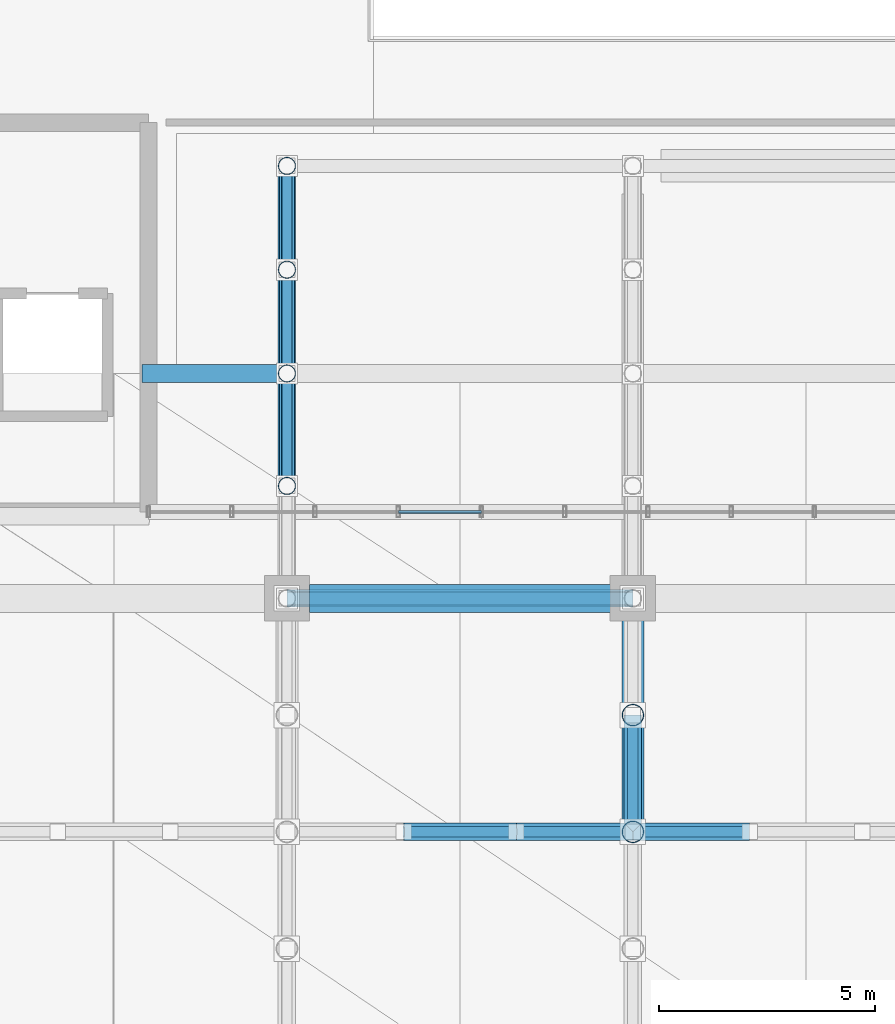
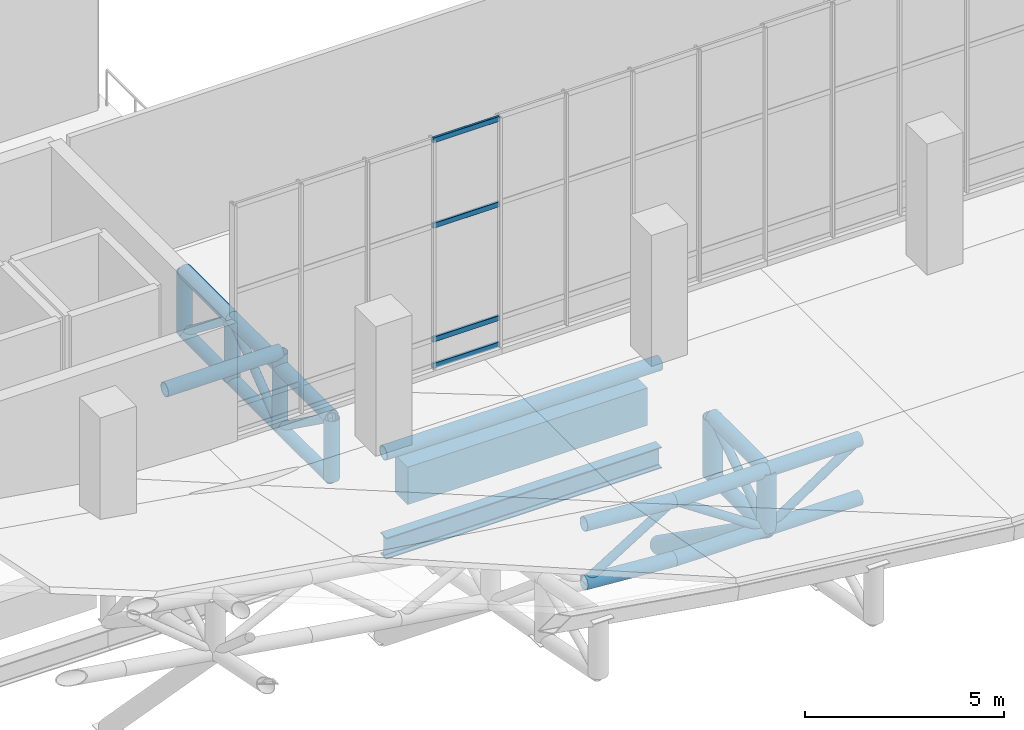
# One storey, part 25 of 137: 34 members, 2 beams, 1 element without a shape of its own.
"""IFC4 building model written with IfcOpenShell, lengths in metres."""

from ifc_helpers import new_model, si_unit, direction, frame, origin, origin_2d, place, context, subcontext, project, spatial, rectangle, hollow_rectangle, hollow_circle, i_section, extrude, material, layer, layer_set, material_profile, profile_set, type_object, element, aggregate, save


model = new_model("IFC4")

# Units and contexts
model_context = context("Model", 3, precision=1e-05, world=origin(), true_north=direction((0.0, 1.0)))
body_context = subcontext(model_context, "Body", "Model", "MODEL_VIEW")
ifc_project = project(units=[si_unit("LENGTHUNIT", "METRE"), si_unit("AREAUNIT", "SQUARE_METRE"), si_unit("VOLUMEUNIT", "CUBIC_METRE"), si_unit("PLANEANGLEUNIT", "RADIAN"), si_unit("MASSUNIT", "GRAM", prefix="KILO")], contexts=[model_context])

# Site, building, storey
site_placement = place(None, origin())
site = spatial("IfcSite", under=ifc_project, at=site_placement, CompositionType="ELEMENT")
building_placement = place(site_placement, origin())
building = spatial("IfcBuilding", under=site, at=building_placement, Name="Khorjan Park Terminus", CompositionType="ELEMENT")
storey_placement = place(building_placement, frame((0.0, 0.0, 11.4)))
storey = spatial("IfcBuildingStorey", under=building, at=storey_placement, Name="L02", CompositionType="ELEMENT", Elevation=11.4)

# Members
ifc_material_1 = material(Name="Steel S355", Category="steel")
ifc_material_profile_1 = material_profile(ifc_material_1, hollow_circle(Radius=0.1222, WallThickness=0.0125, at=origin_2d()), Name="CHS 244.5x12.5")
ifc_profile_set_1 = profile_set([ifc_material_profile_1], Name="Steel S355")
member_type_1 = type_object("IfcMemberType", Name="MB-BR-245", PredefinedType="BRACE", material=ifc_profile_set_1)
member_1_placement = place(storey_placement, frame((72.0, 28.6, -0.05), z_axis=(0.0, 0.811830357573, -0.583893372562), x_axis=(-1.0, 0.0, 0.0)))
element("IfcMember", 1, at=member_1_placement, inside=storey, type_object=member_type_1, Name="Lower shell cantilever truss diagonal (4S)", PredefinedType="BRACE", context=body_context, shape_type="SweptSolid", body=[
    extrude(hollow_circle(Radius=0.1222, WallThickness=0.0125, at=origin_2d()), origin(), (0.0, 0.0, 1.0), 3.2026),
])
for number, where, z_axis, x_axis, name in (
    (2, (72.0, 31.2, -1.92), (0.0, 0.788820985003, 0.614623017482), (-1.0, 0.0, 0.0), "Lower shell cantilever truss diagonal (4S)"),
    (3, (72.0, 33.6, -0.05), (0.0, 0.788820985003, -0.614623017482), (-1.0, 0.0, 0.0), "Lower shell cantilever truss diagonal (4S)"),
):
    element("IfcMember", number, at=place(storey_placement, frame(where, z_axis=z_axis, x_axis=x_axis)), inside=storey, type_object=member_type_1, Name=name, PredefinedType="BRACE", context=body_context, shape_type="SweptSolid", body=[
        extrude(hollow_circle(Radius=0.1222, WallThickness=0.0125, at=origin_2d()), origin(), (0.0, 0.0, 1.0), 3.0425),
    ])
ifc_material_profile_2 = material_profile(ifc_material_1, hollow_circle(Radius=0.1222, WallThickness=0.0125, at=origin_2d()), Name="CHS 244.5x12.5")
ifc_profile_set_2 = profile_set([ifc_material_profile_2], Name="Steel S355")
member_type_2 = type_object("IfcMemberType", Name="MB-BRE-245", PredefinedType="BRACE", material=ifc_profile_set_2)
member_2_placement = place(storey_placement, frame((80.0, 20.6, -1.408), z_axis=(0.0, 0.832050294338, 0.554700196225), x_axis=(-1.0, 0.0, 0.0)))
element("IfcMember", 4, at=member_2_placement, inside=storey, type_object=member_type_2, Name="Lower shell cantilever truss diagonal (5S)", PredefinedType="BRACE", context=body_context, shape_type="SweptSolid", body=[
    extrude(hollow_circle(Radius=0.1222, WallThickness=0.0125, at=origin_2d()), origin(), (0.0, 0.0, 1.0), 3.245),
])
member_3_placement = place(storey_placement, frame((74.7, 20.6, -1.2194), z_axis=(0.849990525921, 0.0, 0.526797974411), x_axis=(0.0, 1.0, 0.0)))
element("IfcMember", 5, at=member_3_placement, inside=storey, type_object=member_type_2, Name="Lower shell mid-ring diagonal (S15)", PredefinedType="BRACE", context=body_context, shape_type="SweptSolid", body=[
    extrude(hollow_circle(Radius=0.1222, WallThickness=0.0125, at=origin_2d()), origin(), (0.0, 0.0, 1.0), 3.0589),
])
for number, where, z_axis, x_axis, name in (
    (6, (77.3, 20.6, 0.392), (0.832050294338, 0.0, -0.554700196225), (0.0, 1.0, 0.0), "Lower shell mid-ring diagonal (S16)"),
    (7, (80.0, 20.6, -1.408), (0.832050294338, 0.0, 0.554700196225), (0.0, 1.0, 0.0), "Lower shell mid-ring diagonal (S17)"),
):
    element("IfcMember", number, at=place(storey_placement, frame(where, z_axis=z_axis, x_axis=x_axis)), inside=storey, type_object=member_type_2, Name=name, PredefinedType="BRACE", context=body_context, shape_type="SweptSolid", body=[
        extrude(hollow_circle(Radius=0.1222, WallThickness=0.0125, at=origin_2d()), origin(), (0.0, 0.0, 1.0), 3.245),
    ])
ifc_material_profile_3 = material_profile(ifc_material_1, hollow_circle(Radius=0.1778, WallThickness=0.016, at=origin_2d()), Name="CHS 355.6x16")
ifc_profile_set_3 = profile_set([ifc_material_profile_3], Name="Steel S355")
member_type_3 = type_object("IfcMemberType", Name="MB-CH-356", PredefinedType="CHORD", material=ifc_profile_set_3)
member_4_placement = place(storey_placement, frame((72.0, 28.6, -1.92), z_axis=(0.0, 1.0, 0.0), x_axis=(-1.0, 0.0, 0.0)))
element("IfcMember", 8, at=member_4_placement, inside=storey, type_object=member_type_3, Name="Lower shell cantilever truss bottom chord (4S)", PredefinedType="CHORD", context=body_context, shape_type="SweptSolid", body=[
    extrude(hollow_circle(Radius=0.1778, WallThickness=0.016, at=origin_2d()), origin(), (0.0, 0.0, 1.0), 2.6),
])
for number, where, z_axis, x_axis, name in (
    (9, (72.0, 31.2, -1.92), (0.0, 1.0, 0.0), (-1.0, 0.0, 0.0), "Lower shell cantilever truss bottom chord (4S)"),
    (10, (72.0, 33.6, -1.92), (0.0, 1.0, 0.0), (-1.0, 0.0, 0.0), "Lower shell cantilever truss bottom chord (4S)"),
):
    element("IfcMember", number, at=place(storey_placement, frame(where, z_axis=z_axis, x_axis=x_axis)), inside=storey, type_object=member_type_3, Name=name, PredefinedType="CHORD", context=body_context, shape_type="SweptSolid", body=[
        extrude(hollow_circle(Radius=0.1778, WallThickness=0.016, at=origin_2d()), origin(), (0.0, 0.0, 1.0), 2.4),
    ])
ifc_material_profile_4 = material_profile(ifc_material_1, hollow_circle(Radius=0.2032, WallThickness=0.016, at=origin_2d()), Name="CHS 406.4x16")
ifc_profile_set_4 = profile_set([ifc_material_profile_4], Name="Steel S355")
member_type_4 = type_object("IfcMemberType", Name="MB-CH-406", PredefinedType="CHORD", material=ifc_profile_set_4)
member_5_placement = place(storey_placement, frame((68.65, 31.2, 0.392), z_axis=(1.0, 0.0, 0.0), x_axis=(0.0, 1.0, 0.0)))
element("IfcMember", 11, at=member_5_placement, inside=storey, type_object=member_type_4, Name="Lower wrapping shell rim chord (77)", PredefinedType="CHORD", context=body_context, shape_type="SweptSolid", body=[
    extrude(hollow_circle(Radius=0.2032, WallThickness=0.016, at=origin_2d()), origin(), (0.0, 0.0, 1.0), 3.35),
])
member_6_placement = place(storey_placement, frame((72.0, 28.6, -0.05), z_axis=(0.0, 1.0, 0.0), x_axis=(-1.0, 0.0, 0.0)))
element("IfcMember", 12, at=member_6_placement, inside=storey, type_object=member_type_4, Name="Lower shell cantilever truss top chord (4S)", PredefinedType="CHORD", context=body_context, shape_type="SweptSolid", body=[
    extrude(hollow_circle(Radius=0.2032, WallThickness=0.016, at=origin_2d()), origin(), (0.0, 0.0, 1.0), 2.6),
])
for number, where, z_axis, x_axis, name in (
    (13, (72.0, 31.2, -0.05), (0.0, 1.0, 0.0), (-1.0, 0.0, 0.0), "Lower shell cantilever truss top chord (4S)"),
    (14, (72.0, 33.6, -0.05), (0.0, 1.0, 0.0), (-1.0, 0.0, 0.0), "Lower shell cantilever truss top chord (4S)"),
):
    element("IfcMember", number, at=place(storey_placement, frame(where, z_axis=z_axis, x_axis=x_axis)), inside=storey, type_object=member_type_4, Name=name, PredefinedType="CHORD", context=body_context, shape_type="SweptSolid", body=[
        extrude(hollow_circle(Radius=0.2032, WallThickness=0.016, at=origin_2d()), origin(), (0.0, 0.0, 1.0), 2.4),
    ])
ifc_material_profile_5 = material_profile(ifc_material_1, hollow_circle(Radius=0.2032, WallThickness=0.016, at=origin_2d()), Name="CHS 406.4x16")
ifc_profile_set_5 = profile_set([ifc_material_profile_5], Name="Steel S355")
member_type_5 = type_object("IfcMemberType", Name="MB-CHE-406", PredefinedType="CHORD", material=ifc_profile_set_5)
member_7_placement = place(storey_placement, frame((72.0, 26.0, 0.4308), z_axis=(0.999988238957, 0.0, -0.004849942959), x_axis=(0.0, 1.0, 0.0)))
element("IfcMember", 15, at=member_7_placement, inside=storey, type_object=member_type_5, Name="Lower wrapping shell rim chord (62)", PredefinedType="CHORD", context=body_context, shape_type="SweptSolid", body=[
    extrude(hollow_circle(Radius=0.2032, WallThickness=0.016, at=origin_2d()), origin(), (0.0, 0.0, 1.0), 8.0001),
])
for number, where, z_axis, x_axis, name in (
    (16, (80.0, 20.6, 0.392), (0.0, 1.0, 0.0), (-1.0, 0.0, 0.0), "Lower shell cantilever truss top chord (5S)"),
    (17, (80.0, 20.6, -1.408), (0.0, 1.0, 0.0), (-1.0, 0.0, 0.0), "Lower shell cantilever truss bottom chord (5S)"),
):
    element("IfcMember", number, at=place(storey_placement, frame(where, z_axis=z_axis, x_axis=x_axis)), inside=storey, type_object=member_type_5, Name=name, PredefinedType="CHORD", context=body_context, shape_type="SweptSolid", body=[
        extrude(hollow_circle(Radius=0.2032, WallThickness=0.016, at=origin_2d()), origin(), (0.0, 0.0, 1.0), 2.7),
    ])
for number, where, z_axis, x_axis, name in (
    (18, (74.7, 20.6, 0.5806), (0.997379423046, 0.0, -0.072348368918), (0.0, 1.0, 0.0), "Lower shell mid-ring top chord (S15)"),
    (19, (74.7, 20.6, -1.2194), (0.997379423046, 0.0, -0.072348368918), (0.0, 1.0, 0.0), "Lower shell mid-ring bottom chord (S15)"),
):
    element("IfcMember", number, at=place(storey_placement, frame(where, z_axis=z_axis, x_axis=x_axis)), inside=storey, type_object=member_type_5, Name=name, PredefinedType="CHORD", context=body_context, shape_type="SweptSolid", body=[
        extrude(hollow_circle(Radius=0.2032, WallThickness=0.016, at=origin_2d()), origin(), (0.0, 0.0, 1.0), 2.6068),
    ])
for number, where, z_axis, x_axis, name in (
    (20, (77.3, 20.6, 0.392), (1.0, 0.0, 0.0), (0.0, 1.0, 0.0), "Lower shell mid-ring top chord (S16)"),
    (21, (77.3, 20.6, -1.408), (1.0, 0.0, 0.0), (0.0, 1.0, 0.0), "Lower shell mid-ring bottom chord (S16)"),
    (22, (80.0, 20.6, 0.392), (1.0, 0.0, 0.0), (0.0, 1.0, 0.0), "Lower shell mid-ring top chord (S17)"),
    (23, (80.0, 20.6, -1.408), (1.0, 0.0, 0.0), (0.0, 1.0, 0.0), "Lower shell mid-ring bottom chord (S17)"),
):
    element("IfcMember", number, at=place(storey_placement, frame(where, z_axis=z_axis, x_axis=x_axis)), inside=storey, type_object=member_type_5, Name=name, PredefinedType="CHORD", context=body_context, shape_type="SweptSolid", body=[
        extrude(hollow_circle(Radius=0.2032, WallThickness=0.016, at=origin_2d()), origin(), (0.0, 0.0, 1.0), 2.7),
    ])
ifc_material_profile_6 = material_profile(ifc_material_1, hollow_circle(Radius=0.2032, WallThickness=0.016, at=origin_2d()), Name="CHS 406.4x16")
ifc_profile_set_6 = profile_set([ifc_material_profile_6], Name="Steel S355")
member_type_6 = type_object("IfcMemberType", Name="MB-ST-406", PredefinedType="STRUT", material=ifc_profile_set_6)
member_8_placement = place(storey_placement, frame((72.0, 28.6, -1.92), z_axis=(0.0, 0.0, 1.0), x_axis=(1.0, 0.0, 0.0)))
element("IfcMember", 24, at=member_8_placement, inside=storey, type_object=member_type_6, Name="Lower shell cantilever truss post (4S)", PredefinedType="STRUT", context=body_context, shape_type="SweptSolid", body=[
    extrude(hollow_circle(Radius=0.2032, WallThickness=0.016, at=origin_2d()), origin(), (0.0, 0.0, 1.0), 1.87),
])
member_9_placement = place(storey_placement, frame((72.0, 31.2, -1.92), z_axis=(0.0, 0.0, 1.0), x_axis=(1.0, 0.0, 0.0)))
element("IfcMember", 25, at=member_9_placement, inside=storey, type_object=member_type_6, Name="Lower shell cantilever truss post (4S)", PredefinedType="STRUT", context=body_context, shape_type="SweptSolid", body=[
    extrude(hollow_circle(Radius=0.2032, WallThickness=0.016, at=origin_2d()), origin(), (0.0, 0.0, 1.0), 2.312),
])
for number, where, z_axis, x_axis, name in (
    (26, (72.0, 33.6, -1.92), (0.0, 0.0, 1.0), (1.0, 0.0, 0.0), "Lower shell cantilever truss post (4S)"),
    (27, (72.0, 36.0, -1.92), (0.0, 0.0, 1.0), (1.0, 0.0, 0.0), "Lower shell cantilever truss post (4S)"),
):
    element("IfcMember", number, at=place(storey_placement, frame(where, z_axis=z_axis, x_axis=x_axis)), inside=storey, type_object=member_type_6, Name=name, PredefinedType="STRUT", context=body_context, shape_type="SweptSolid", body=[
        extrude(hollow_circle(Radius=0.2032, WallThickness=0.016, at=origin_2d()), origin(), (0.0, 0.0, 1.0), 1.87),
    ])
ifc_material_profile_7 = material_profile(ifc_material_1, hollow_circle(Radius=0.254, WallThickness=0.02, at=origin_2d()), Name="CHS 508x20")
ifc_profile_set_7 = profile_set([ifc_material_profile_7], Name="Steel S355")
member_type_7 = type_object("IfcMemberType", Name="MB-STE-508", PredefinedType="STRUT", material=ifc_profile_set_7)
for number, where, z_axis, x_axis, name in (
    (28, (80.0, 20.6, -1.408), (0.0, 0.0, 1.0), (1.0, 0.0, 0.0), "Lower shell cantilever truss post (5S)"),
    (29, (80.0, 23.3, -1.408), (0.0, 0.0, 1.0), (1.0, 0.0, 0.0), "Lower shell cantilever truss post (5S)"),
):
    element("IfcMember", number, at=place(storey_placement, frame(where, z_axis=z_axis, x_axis=x_axis)), inside=storey, type_object=member_type_7, Name=name, PredefinedType="STRUT", context=body_context, shape_type="SweptSolid", body=[
        extrude(hollow_circle(Radius=0.254, WallThickness=0.02, at=origin_2d()), origin(), (0.0, 0.0, 1.0), 1.8),
    ])
member_10_placement = place(storey_placement, frame((80.0, 26.0, -5.2), z_axis=(0.0, -0.818376628533, 0.574682254703), x_axis=(1.0, 0.0, 0.0)))
element("IfcMember", 30, at=member_10_placement, inside=storey, type_object=member_type_7, Name="Lower shell raked overhang V-strut STE-51 (5S)", PredefinedType="STRUT", context=body_context, shape_type="SweptSolid", body=[
    extrude(hollow_circle(Radius=0.254, WallThickness=0.02, at=origin_2d()), origin(), (0.0, 0.0, 1.0), 6.5984),
])

# Beams
ifc_material_profile_8 = material_profile(ifc_material_1, i_section(OverallWidth=0.3, OverallDepth=0.65, WebThickness=0.016, FlangeThickness=0.031, FilletRadius=0.027, at=origin_2d()), Name="HEB 650")
ifc_profile_set_8 = profile_set([ifc_material_profile_8], Name="Steel S355")
beam_type_1 = type_object("IfcBeamType", Name="SP-HEB650E", PredefinedType="SPANDREL", material=ifc_profile_set_8)
beam_1_placement = place(storey_placement, frame((72.0, 26.0, -2.425), z_axis=(1.0, 0.0, 0.0), x_axis=(0.0, 1.0, 0.0)))
element("IfcBeam", 31, at=beam_1_placement, inside=storey, type_object=beam_type_1, Name="Lower shell truss support girder SP-E65 (X4)", PredefinedType="SPANDREL", context=body_context, shape_type="SweptSolid", body=[
    extrude(i_section(OverallWidth=0.3, OverallDepth=0.65, WebThickness=0.016, FlangeThickness=0.031, FilletRadius=0.027, at=origin_2d()), origin(), (0.0, 0.0, 1.0), 8.0),
])
ifc_material_2 = material(Name="Concrete C50/60", Category="concrete")
ifc_material_profile_9 = material_profile(ifc_material_2, rectangle(XDim=0.65, YDim=1.15, at=origin_2d()), Name="RC 650x1150")
ifc_profile_set_9 = profile_set([ifc_material_profile_9], Name="Concrete C50/60")
beam_type_2 = type_object("IfcBeamType", Name="SP-RC650x1150", PredefinedType="SPANDREL", material=ifc_profile_set_9)
beam_2_placement = place(storey_placement, frame((72.52, 26.0, -0.575), z_axis=(1.0, 0.0, 0.0), x_axis=(0.0, 1.0, 0.0)))
element("IfcBeam", 32, at=beam_2_placement, inside=storey, type_object=beam_type_2, Name="Concourse lower colonnade ring beam SP-11 (L02-43)", PredefinedType="SPANDREL", context=body_context, shape_type="SweptSolid", body=[
    extrude(rectangle(XDim=0.65, YDim=1.15, at=origin_2d()), origin(), (0.0, 0.0, 1.0), 6.96),
])

# Curtain wall, members
ifc_material_3 = material(Name="Anodized Bronze Aluminium", Category="aluminium")
ifc_layer = layer(ifc_material_3, 0.22)
ifc_layer_set = layer_set([ifc_layer], Name="Anodized Bronze Aluminium")
curtain_wall_type = type_object("IfcCurtainWallType", Name="CW-CONC-CLR", PredefinedType="NOTDEFINED", material=ifc_layer_set)
curtain_wall_placement = place(storey_placement, origin())
curtain_wall = element("IfcCurtainWall", 33, at=curtain_wall_placement, inside=storey, type_object=curtain_wall_type, Name="Unitized curtain wall CW-CL (CW-V2-S-CLR-02)", PredefinedType="NOTDEFINED")
ifc_material_profile_10 = material_profile(ifc_material_3, hollow_rectangle(XDim=0.07, YDim=0.16, WallThickness=0.004, InnerFilletRadius=0.004, OuterFilletRadius=0.008, at=origin_2d()), Name="ALT 70x160x4")
ifc_profile_set_10 = profile_set([ifc_material_profile_10], Name="Anodized Bronze Aluminium")
member_type_8 = type_object("IfcMemberType", Name="TR-ALT-160", PredefinedType="USERDEFINED", material=ifc_profile_set_10)
member_11_placement = place(storey_placement, frame((74.575, 28.0, 0.99), z_axis=(1.0, 0.0, 0.0), x_axis=(0.0, 1.0, 0.0)))
member_11 = element("IfcMember", 34, at=member_11_placement, type_object=member_type_8, Name="Curtain-wall transom TR-16 (CW-V2-S-CLR-02-3-1)", ObjectType="TRANSOM", PredefinedType="USERDEFINED", context=body_context, shape_type="SweptSolid", body=[
    extrude(hollow_rectangle(XDim=0.07, YDim=0.16, WallThickness=0.004, InnerFilletRadius=0.004, OuterFilletRadius=0.008, at=origin_2d()), origin(), (0.0, 0.0, 1.0), 1.925),
])
member_12_placement = place(storey_placement, frame((74.575, 28.0, 1.8), z_axis=(1.0, 0.0, 0.0), x_axis=(0.0, 1.0, 0.0)))
member_12 = element("IfcMember", 35, at=member_12_placement, type_object=member_type_8, Name="Curtain-wall transom TR-16 (CW-V2-S-CLR-02-3-2)", ObjectType="TRANSOM", PredefinedType="USERDEFINED", context=body_context, shape_type="SweptSolid", body=[
    extrude(hollow_rectangle(XDim=0.07, YDim=0.16, WallThickness=0.004, InnerFilletRadius=0.004, OuterFilletRadius=0.008, at=origin_2d()), origin(), (0.0, 0.0, 1.0), 1.925),
])
member_13_placement = place(storey_placement, frame((74.575, 28.0, 5.291), z_axis=(1.0, 0.0, 0.0), x_axis=(0.0, 1.0, 0.0)))
member_13 = element("IfcMember", 36, at=member_13_placement, type_object=member_type_8, Name="Curtain-wall transom TR-16 (CW-V2-S-CLR-02-3-3)", ObjectType="TRANSOM", PredefinedType="USERDEFINED", context=body_context, shape_type="SweptSolid", body=[
    extrude(hollow_rectangle(XDim=0.07, YDim=0.16, WallThickness=0.004, InnerFilletRadius=0.004, OuterFilletRadius=0.008, at=origin_2d()), origin(), (0.0, 0.0, 1.0), 1.925),
])
member_14_placement = place(storey_placement, frame((74.575, 28.0, 7.9116), z_axis=(1.0, 0.0, 0.0), x_axis=(0.0, 1.0, 0.0)))
member_14 = element("IfcMember", 37, at=member_14_placement, type_object=member_type_8, Name="Curtain-wall transom TR-16 (CW-V2-S-CLR-02-3-4)", ObjectType="TRANSOM", PredefinedType="USERDEFINED", context=body_context, shape_type="SweptSolid", body=[
    extrude(hollow_rectangle(XDim=0.07, YDim=0.16, WallThickness=0.004, InnerFilletRadius=0.004, OuterFilletRadius=0.008, at=origin_2d()), origin(), (0.0, 0.0, 1.0), 1.925),
])
aggregate(curtain_wall, [member_11, member_12, member_13, member_14])

save(model, "model.ifc")
